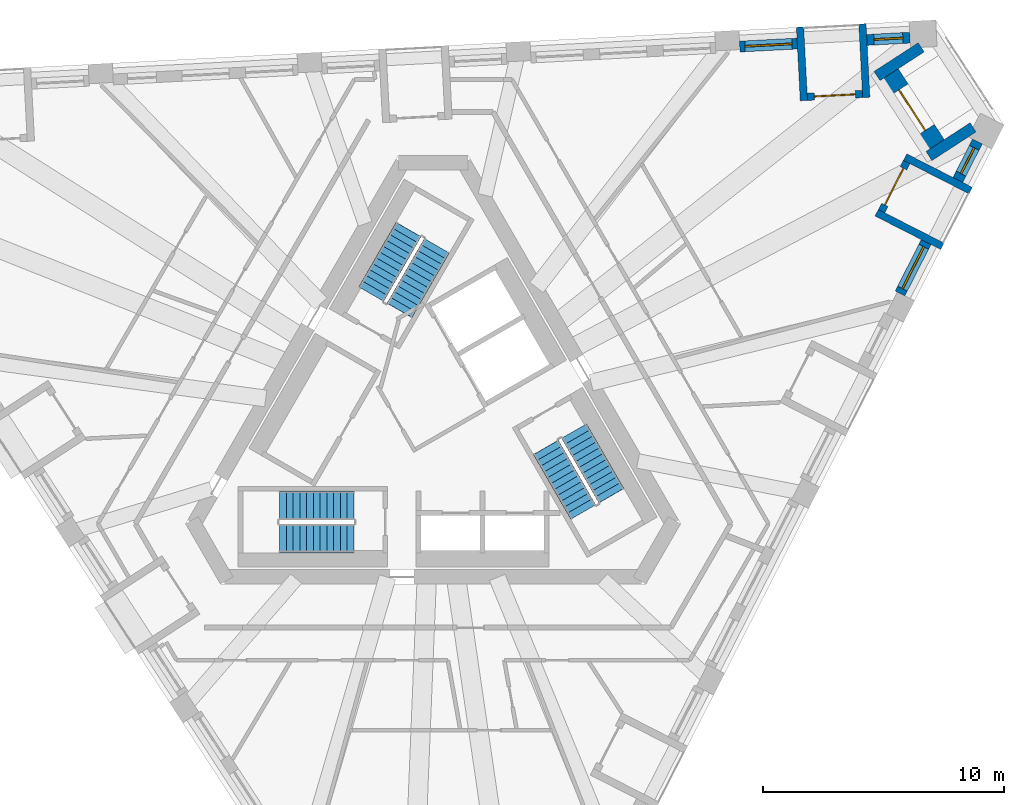
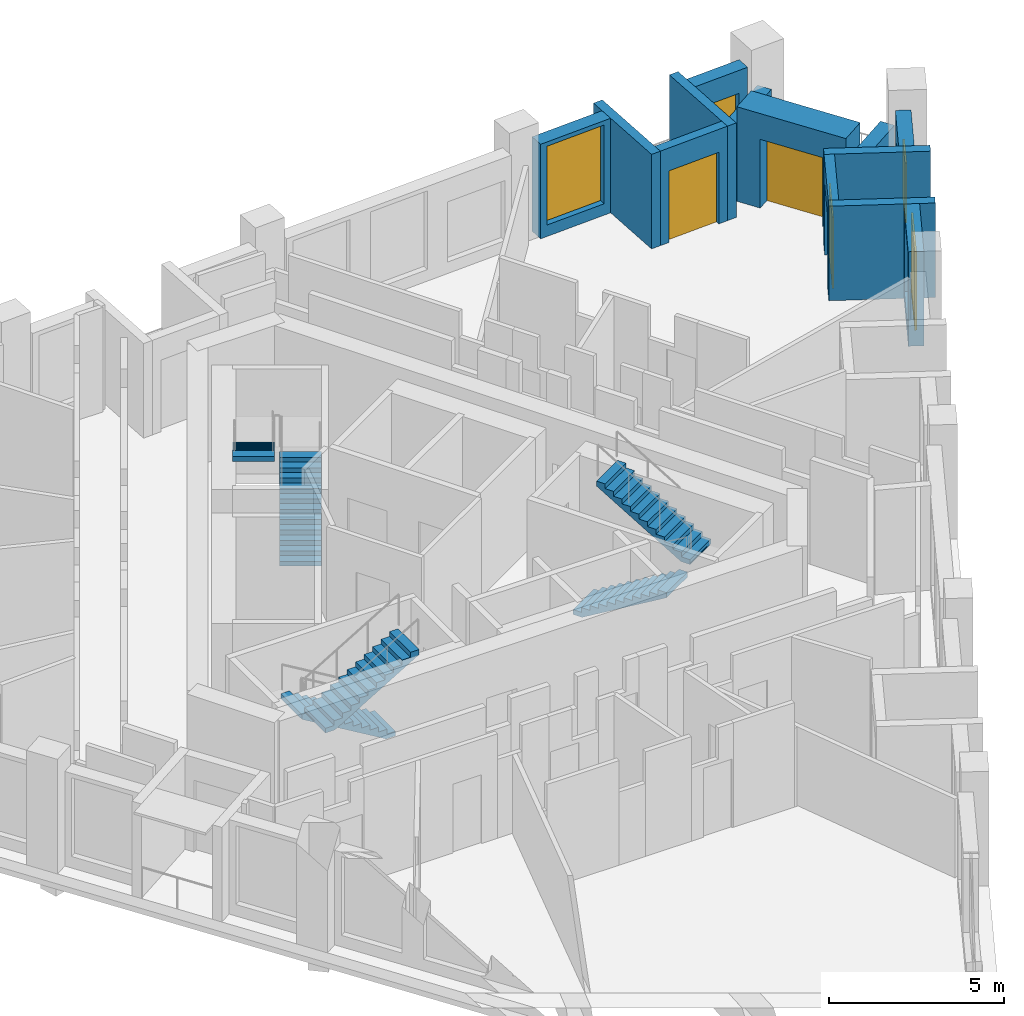
# One storey, part 8 of 12: 13 walls, 6 stair flights, 4 windows, 3 doors, 7 openings, 3 elements without a shape of their own.
"""IFC4 building model written with IfcOpenShell, lengths in metres."""

from ifc_helpers import new_model, si_unit, direction, frame, frame_2d, origin, place, context, subcontext, project, spatial, polyline, rectangle, outline, extrude, material, layer, layer_set, type_object, element, fill, aggregate, save


model = new_model("IFC4")

# Units and contexts
model_context = context("Model", 3, precision=1e-05, world=origin(), true_north=direction((0.0, 1.0)))
body_context = subcontext(model_context, "Body", "Model", "MODEL_VIEW")
ifc_project = project(units=[si_unit("LENGTHUNIT", "METRE"), si_unit("AREAUNIT", "SQUARE_METRE"), si_unit("VOLUMEUNIT", "CUBIC_METRE"), si_unit("PLANEANGLEUNIT", "RADIAN"), si_unit("MASSUNIT", "GRAM", prefix="KILO")], contexts=[model_context])

# Site, building, storey
site_placement = place(None, origin())
site = spatial("IfcSite", under=ifc_project, at=site_placement, CompositionType="ELEMENT")
building_placement = place(site_placement, origin())
building = spatial("IfcBuilding", under=site, at=building_placement, Name="Tramontana Tower", CompositionType="ELEMENT")
storey_placement = place(building_placement, frame((0.0, 0.0, 278.39990234375)))
storey = spatial("IfcBuildingStorey", under=building, at=storey_placement, Name="L65", CompositionType="ELEMENT", Elevation=278.39990234375)

# Wall, opening, window
ifc_material_1 = material(Name="Precast concrete 60 MPa", Category="concrete")
ifc_layer_1 = layer(ifc_material_1, 0.449951171875)
ifc_layer_set_1 = layer_set([ifc_layer_1], Name="Precast concrete 60 MPa, 450 mm")
wall_type_1 = type_object("IfcWallType", Name="EW1 Stone-faced precast wall 450", PredefinedType="SOLIDWALL", material=ifc_layer_set_1)
wall_1_placement = place(storey_placement, frame((19.333740234375, 5.28955078125, 0.0), z_axis=(0.0, 0.0, 1.0), x_axis=(0.453951830128, 0.891026226283, 0.0)))
wall_1 = element("IfcWall", 1, at=wall_1_placement, inside=storey, type_object=wall_type_1, Name="External wall L65 face 1 bay 5", PredefinedType="SOLIDWALL", context=body_context, shape_type="SweptSolid", body=[
    extrude(rectangle(XDim=2.38671875, YDim=0.449951171875, at=frame_2d((1.193359375, 0.0))), origin(), (0.0, 0.0, 1.0), 3.300048828125),
])
opening_1_placement = place(wall_1_placement, frame((0.21826171875, 0.0, 0.39990234375)))
opening_1 = element("IfcOpeningElement", 2, at=opening_1_placement, cuts=wall_1, Name="Opening M3", PredefinedType="OPENING", context=body_context, shape_type="SweptSolid", body=[
    extrude(rectangle(XDim=1.949951171875, YDim=2.75, at=frame_2d((0.97509765625, 1.375))), frame((0.0, 0.23486328125, 0.0), z_axis=(0.0, -1.0, 0.0), x_axis=(1.0, 0.0, 0.0)), (0.0, 0.0, 1.0), 0.469970703125),
])
ifc_material_2 = material(Name="Aluminum frame, double glazing unit", Category="aluminium")
window_type_1 = type_object("IfcWindowType", Name="M3 Window 1.95 x 2.75", PartitioningType="SINGLE_PANEL", PredefinedType="WINDOW", material=ifc_material_2)
window_1_placement = place(opening_1_placement, origin())
window_1 = element("IfcWindow", 3, at=window_1_placement, inside=storey, type_object=window_type_1, Name="Window M3 L65 face 1 module 13", OverallHeight=2.75, OverallWidth=1.949951171875, PartitioningType="SINGLE_PANEL", PredefinedType="WINDOW", context=body_context, shape_type="SweptSolid", body=[
    extrude(rectangle(XDim=1.949951171875, YDim=2.75, at=frame_2d((0.97509765625, 1.375))), frame((0.0, 0.030029296875, 0.0), z_axis=(0.0, -1.0, 0.0), x_axis=(1.0, 0.0, 0.0)), (0.0, 0.0, 1.0), 0.06005859375),
])
fill(opening_1, window_1)

wall_2_placement = place(storey_placement, frame((21.727783203125, 9.98828125, 0.0), z_axis=(0.0, 0.0, 1.0), x_axis=(0.454032211525, 0.890985269742, 0.0)))
wall_2 = element("IfcWall", 4, at=wall_2_placement, inside=storey, type_object=wall_type_1, Name="External wall L65 face 1 bay 5", PredefinedType="SOLIDWALL", context=body_context, shape_type="SweptSolid", body=[
    extrude(rectangle(XDim=1.786865234375, YDim=0.449951171875, at=frame_2d((0.8935546875, 0.0))), origin(), (0.0, 0.0, 1.0), 3.300048828125),
])
opening_2_placement = place(wall_2_placement, frame((0.29345703125, 0.0, 0.39990234375)))
opening_2 = element("IfcOpeningElement", 5, at=opening_2_placement, cuts=wall_2, Name="Opening N3L", PredefinedType="OPENING", context=body_context, shape_type="SweptSolid", body=[
    extrude(rectangle(XDim=1.199951171875, YDim=2.10009765625, at=frame_2d((0.60009765625, 1.050048828125))), frame((0.0, 0.23486328125, 0.0), z_axis=(0.0, -1.0, 0.0), x_axis=(1.0, 0.0, 0.0)), (0.0, 0.0, 1.0), 0.469970703125),
])
ifc_material_3 = material(Name="Aluminum frame, double glazing unit", Category="aluminium")
window_type_2 = type_object("IfcWindowType", Name="N3L Window 1.2 x 2.1", PartitioningType="SINGLE_PANEL", PredefinedType="WINDOW", material=ifc_material_3)
window_2_placement = place(opening_2_placement, origin())
window_2 = element("IfcWindow", 6, at=window_2_placement, inside=storey, type_object=window_type_2, Name="Window N3L L65 face 1 module 15", OverallHeight=2.10009765625, OverallWidth=1.199951171875, PartitioningType="SINGLE_PANEL", PredefinedType="WINDOW", context=body_context, shape_type="SweptSolid", body=[
    extrude(rectangle(XDim=1.199951171875, YDim=2.10009765625, at=frame_2d((0.60009765625, 1.050048828125))), frame((0.0, 0.030029296875, 0.0), z_axis=(0.0, -1.0, 0.0), x_axis=(1.0, 0.0, 0.0)), (0.0, 0.0, 1.0), 0.06005859375),
])
fill(opening_2, window_2)

wall_3_placement = place(storey_placement, frame((19.74658203125, 15.880126953125, 0.0), z_axis=(0.0, 0.0, 1.0), x_axis=(-0.998629506551, -0.052336494391, 0.0)))
wall_3 = element("IfcWall", 7, at=wall_3_placement, inside=storey, type_object=wall_type_1, Name="External wall L65 face 2 bay 1", PredefinedType="SOLIDWALL", context=body_context, shape_type="SweptSolid", body=[
    extrude(rectangle(XDim=1.78662109375, YDim=0.449951171875, at=frame_2d((0.893310546875, 0.0))), origin(), (0.0, 0.0, 1.0), 3.300048828125),
])
opening_3_placement = place(wall_3_placement, frame((0.29345703125, 0.0, 0.39990234375)))
opening_3 = element("IfcOpeningElement", 8, at=opening_3_placement, cuts=wall_3, Name="Opening N3L", PredefinedType="OPENING", context=body_context, shape_type="SweptSolid", body=[
    extrude(rectangle(XDim=1.199951171875, YDim=2.10009765625, at=frame_2d((0.60009765625, 1.050048828125))), frame((0.0, 0.23486328125, 0.0), z_axis=(0.0, -1.0, 0.0), x_axis=(1.0, 0.0, 0.0)), (0.0, 0.0, 1.0), 0.469970703125),
])
window_3_placement = place(opening_3_placement, origin())
window_3 = element("IfcWindow", 9, at=window_3_placement, inside=storey, type_object=window_type_2, Name="Window N3L L65 face 2 module 1", OverallHeight=2.10009765625, OverallWidth=1.199951171875, PartitioningType="SINGLE_PANEL", PredefinedType="WINDOW", context=body_context, shape_type="SweptSolid", body=[
    extrude(rectangle(XDim=1.199951171875, YDim=2.10009765625, at=frame_2d((0.60009765625, 1.050048828125))), frame((0.0, 0.030029296875, 0.0), z_axis=(0.0, -1.0, 0.0), x_axis=(1.0, 0.0, 0.0)), (0.0, 0.0, 1.0), 0.06005859375),
])
fill(opening_3, window_3)

wall_4_placement = place(storey_placement, frame((15.07958984375, 15.6357421875, 0.0), z_axis=(0.0, 0.0, 1.0), x_axis=(-0.998627701279, -0.052370929331, 0.0)))
wall_4 = element("IfcWall", 10, at=wall_4_placement, inside=storey, type_object=wall_type_1, Name="External wall L65 face 2 bay 1", PredefinedType="SOLIDWALL", context=body_context, shape_type="SweptSolid", body=[
    extrude(rectangle(XDim=2.38671875, YDim=0.449951171875, at=frame_2d((1.193359375, 0.0))), origin(), (0.0, 0.0, 1.0), 3.300048828125),
])
opening_4_placement = place(wall_4_placement, frame((0.21826171875, 0.0, 0.39990234375)))
opening_4 = element("IfcOpeningElement", 11, at=opening_4_placement, cuts=wall_4, Name="Opening M3", PredefinedType="OPENING", context=body_context, shape_type="SweptSolid", body=[
    extrude(rectangle(XDim=1.949951171875, YDim=2.75, at=frame_2d((0.97509765625, 1.375))), frame((0.0, 0.23486328125, 0.0), z_axis=(0.0, -1.0, 0.0), x_axis=(1.0, 0.0, 0.0)), (0.0, 0.0, 1.0), 0.469970703125),
])
window_4_placement = place(opening_4_placement, origin())
window_4 = element("IfcWindow", 12, at=window_4_placement, inside=storey, type_object=window_type_1, Name="Window M3 L65 face 2 module 3", OverallHeight=2.75, OverallWidth=1.949951171875, PartitioningType="SINGLE_PANEL", PredefinedType="WINDOW", context=body_context, shape_type="SweptSolid", body=[
    extrude(rectangle(XDim=1.949951171875, YDim=2.75, at=frame_2d((0.97509765625, 1.375))), frame((0.0, 0.030029296875, 0.0), z_axis=(0.0, -1.0, 0.0), x_axis=(1.0, 0.0, 0.0)), (0.0, 0.0, 1.0), 0.06005859375),
])
fill(opening_4, window_4)

# Walls
for number, where, z_axis, x_axis, name in (
    (13, (20.209228515625, 15.478759765625, 0.0), (0.0, 0.0, 1.0), (-0.838694375731, -0.544602372486, 0.0), "Corner loggia side wall L65 K72l"),
    (14, (22.3603515625, 12.166015625, 0.0), (0.0, 0.0, 1.0), (-0.838694375731, -0.544602372486, 0.0), "Corner loggia side wall L65 K72r"),
):
    element("IfcWall", number, at=place(storey_placement, frame(where, z_axis=z_axis, x_axis=x_axis)), inside=storey, type_object=wall_type_1, Name=name, PredefinedType="SOLIDWALL", context=body_context, shape_type="SweptSolid", body=[
        extrude(rectangle(XDim=2.17919921875, YDim=0.449951171875, at=frame_2d((1.089599609375, 0.0))), origin(), (0.0, 0.0, 1.0), 2.550048828125),
    ])

# Wall, opening, door
ifc_material_4 = material(Name="Precast concrete 60 MPa", Category="concrete")
ifc_layer_2 = layer(ifc_material_4, 0.89990234375)
ifc_layer_set_2 = layer_set([ifc_layer_2], Name="EW2 Stone-faced corner loggia wall 900")
wall_type_2 = type_object("IfcWallType", Name="EW2 Stone-faced corner loggia wall 900", PredefinedType="SOLIDWALL", material=ifc_layer_set_2)
wall_5_placement = place(storey_placement, frame((18.88134765625, 14.348388671875, 0.0), z_axis=(0.0, 0.0, 1.0), x_axis=(0.544647498784, -0.838665071449, 0.0)))
wall_5 = element("IfcWall", 15, at=wall_5_placement, inside=storey, type_object=wall_type_2, Name="Corner loggia wall L65 K72", PredefinedType="SOLIDWALL", context=body_context, shape_type="SweptSolid", body=[
    extrude(rectangle(XDim=3.5, YDim=0.89990234375, at=frame_2d((1.75, 0.0))), origin(), (0.0, 0.0, 1.0), 3.300048828125),
])
opening_5_placement = place(wall_5_placement, frame((0.75, 0.0, 0.0)))
opening_5 = element("IfcOpeningElement", 16, at=opening_5_placement, cuts=wall_5, Name="Opening BD-72C", PredefinedType="OPENING", context=body_context, shape_type="SweptSolid", body=[
    extrude(rectangle(XDim=2.0, YDim=2.39990234375, at=frame_2d((1.0, 1.199951171875))), frame((0.0, 0.4599609375, 0.0), z_axis=(0.0, -1.0, 0.0), x_axis=(1.0, 0.0, 0.0)), (0.0, 0.0, 1.0), 0.919921875),
])
ifc_material_5 = material(Name="Aluminum frame, double glazing unit", Category="aluminium")
door_type_1 = type_object("IfcDoorType", Name="BC1 Sliding door 2 x 2.4", OperationType="SLIDING_TO_LEFT", PredefinedType="DOOR", material=ifc_material_5)
door_1_placement = place(opening_5_placement, origin())
door_1 = element("IfcDoor", 17, at=door_1_placement, inside=storey, type_object=door_type_1, Name="Corner loggia door L65 K72", OperationType="SLIDING_TO_LEFT", OverallHeight=2.39990234375, OverallWidth=2.0, PredefinedType="DOOR", context=body_context, shape_type="SweptSolid", body=[
    extrude(rectangle(XDim=2.0, YDim=2.39990234375, at=frame_2d((1.0, 1.199951171875))), frame((0.0, 0.02490234375, 0.0), z_axis=(0.0, -1.0, 0.0), x_axis=(1.0, 0.0, 0.0)), (0.0, 0.0, 1.0), 0.050048828125),
])
fill(opening_5, door_1)

ifc_material_6 = material(Name="Precast concrete 60 MPa", Category="concrete")
ifc_layer_3 = layer(ifc_material_6, 0.300048828125)
ifc_layer_set_3 = layer_set([ifc_layer_3], Name="LW1 Stone-faced loggia wall 300")
wall_type_3 = type_object("IfcWallType", Name="LW1 Stone-faced loggia wall 300", PredefinedType="SOLIDWALL", material=ifc_layer_set_3)
wall_6_placement = place(storey_placement, frame((18.571044921875, 8.693603515625, 0.0), z_axis=(0.0, 0.0, 1.0), x_axis=(0.453948171533, 0.89102809022, 0.0)))
wall_6 = element("IfcWall", 18, at=wall_6_placement, inside=storey, type_object=wall_type_3, Name="Loggia wall L65 G7S1.13", PredefinedType="SOLIDWALL", context=body_context, shape_type="SweptSolid", body=[
    extrude(rectangle(XDim=2.286865234375, YDim=0.300048828125, at=frame_2d((1.1435546875, 0.0))), origin(), (0.0, 0.0, 1.0), 3.300048828125),
])
opening_6_placement = place(wall_6_placement, frame((0.29345703125, 0.0, 0.0)))
opening_6 = element("IfcOpeningElement", 19, at=opening_6_placement, cuts=wall_6, Name="Opening BD-7S1-13", PredefinedType="OPENING", context=body_context, shape_type="SweptSolid", body=[
    extrude(rectangle(XDim=1.699951171875, YDim=2.5, at=frame_2d((0.85009765625, 1.25))), frame((0.0, 0.159912109375, 0.0), z_axis=(0.0, -1.0, 0.0), x_axis=(1.0, 0.0, 0.0)), (0.0, 0.0, 1.0), 0.320068359375),
])
ifc_material_7 = material(Name="Aluminum frame, double glazing unit", Category="aluminium")
door_type_2 = type_object("IfcDoorType", Name="BD3 Sliding door 1.7 x 2.5", OperationType="SLIDING_TO_LEFT", PredefinedType="DOOR", material=ifc_material_7)
door_2_placement = place(opening_6_placement, origin())
door_2 = element("IfcDoor", 20, at=door_2_placement, inside=storey, type_object=door_type_2, Name="Loggia door L65 G7S1.13", OperationType="SLIDING_TO_LEFT", OverallHeight=2.5, OverallWidth=1.699951171875, PredefinedType="DOOR", context=body_context, shape_type="SweptSolid", body=[
    extrude(rectangle(XDim=1.699951171875, YDim=2.5, at=frame_2d((0.85009765625, 1.25))), frame((0.0, 0.02490234375, 0.0), z_axis=(0.0, -1.0, 0.0), x_axis=(1.0, 0.0, 0.0)), (0.0, 0.0, 1.0), 0.050048828125),
])
fill(opening_6, door_2)

# Walls
for number, where, z_axis, x_axis, name in (
    (21, (21.086669921875, 7.243408203125, 0.0), (0.0, 0.0, 1.0), (-0.890991233495, 0.454020508165, 0.0), "Loggia return L65 G7S1.13a"),
    (22, (22.26123046875, 9.54833984375, 0.0), (0.0, 0.0, 1.0), (-0.891040107702, 0.453924582355, 0.0), "Loggia return L65 G7S1.13b"),
):
    element("IfcWall", number, at=place(storey_placement, frame(where, z_axis=z_axis, x_axis=x_axis)), inside=storey, type_object=wall_type_3, Name=name, PredefinedType="SOLIDWALL", context=body_context, shape_type="SweptSolid", body=[
        extrude(rectangle(XDim=3.050048828125, YDim=0.300048828125, at=frame_2d((1.52490234375, 0.0))), origin(), (0.0, 0.0, 1.0), 3.300048828125),
    ])

# Wall, opening, door
wall_7_placement = place(storey_placement, frame((17.779052734375, 13.549072265625, 0.0), z_axis=(0.0, 0.0, 1.0), x_axis=(-0.998630483018, -0.052317859155, 0.0)))
wall_7 = element("IfcWall", 23, at=wall_7_placement, inside=storey, type_object=wall_type_3, Name="Loggia wall L65 G7S2.1", PredefinedType="SOLIDWALL", context=body_context, shape_type="SweptSolid", body=[
    extrude(rectangle(XDim=2.28662109375, YDim=0.300048828125, at=frame_2d((1.143310546875, 0.0))), origin(), (0.0, 0.0, 1.0), 3.300048828125),
])
opening_7_placement = place(wall_7_placement, frame((0.29345703125, 0.0, 0.0)))
opening_7 = element("IfcOpeningElement", 24, at=opening_7_placement, cuts=wall_7, Name="Opening BD-7S2-01", PredefinedType="OPENING", context=body_context, shape_type="SweptSolid", body=[
    extrude(rectangle(XDim=1.699951171875, YDim=2.5, at=frame_2d((0.85009765625, 1.25))), frame((0.0, 0.159912109375, 0.0), z_axis=(0.0, -1.0, 0.0), x_axis=(1.0, 0.0, 0.0)), (0.0, 0.0, 1.0), 0.320068359375),
])
door_3_placement = place(opening_7_placement, origin())
door_3 = element("IfcDoor", 25, at=door_3_placement, inside=storey, type_object=door_type_2, Name="Loggia door L65 G7S2.1", OperationType="SLIDING_TO_LEFT", OverallHeight=2.5, OverallWidth=1.699951171875, PredefinedType="DOOR", context=body_context, shape_type="SweptSolid", body=[
    extrude(rectangle(XDim=1.699951171875, YDim=2.5, at=frame_2d((0.85009765625, 1.25))), frame((0.0, 0.02490234375, 0.0), z_axis=(0.0, -1.0, 0.0), x_axis=(1.0, 0.0, 0.0)), (0.0, 0.0, 1.0), 0.050048828125),
])
fill(opening_7, door_3)

# Walls
wall_8_placement = place(storey_placement, frame((17.777099609375, 16.452880859375, 0.0), z_axis=(0.0, 0.0, 1.0), x_axis=(0.052352956549, -0.998628643661, 0.0)))
element("IfcWall", 26, at=wall_8_placement, inside=storey, type_object=wall_type_3, Name="Loggia return L65 G7S2.1a", PredefinedType="SOLIDWALL", context=body_context, shape_type="SweptSolid", body=[
    extrude(rectangle(XDim=3.0498046875, YDim=0.300048828125, at=frame_2d((1.52490234375, 0.0))), origin(), (0.0, 0.0, 1.0), 3.300048828125),
])
wall_9_placement = place(storey_placement, frame((15.19384765625, 16.317626953125, 0.0), z_axis=(0.0, 0.0, 1.0), x_axis=(0.052348771756, -0.99862886304, 0.0)))
element("IfcWall", 27, at=wall_9_placement, inside=storey, type_object=wall_type_3, Name="Loggia return L65 G7S2.1b", PredefinedType="SOLIDWALL", context=body_context, shape_type="SweptSolid", body=[
    extrude(rectangle(XDim=3.050048828125, YDim=0.300048828125, at=frame_2d((1.52490234375, 0.0))), origin(), (0.0, 0.0, 1.0), 3.300048828125),
])

# Stair, stair flights
ifc_material_8 = material(Name="Concrete 40 MPa", Category="concrete")
stair_type = type_object("IfcStairType", Name="EXIT STAIR 24 RISERS", PredefinedType="HALF_TURN_STAIR", material=ifc_material_8)
stair_1_placement = place(storey_placement, origin())
stair_1 = element("IfcStair", 28, at=stair_1_placement, inside=storey, type_object=stair_type, Name="L65 Exit stair ST1", PredefinedType="HALF_TURN_STAIR")
ifc_material_9 = material(Name="Concrete 40 MPa", Category="concrete")
ifc_layer_4 = layer(ifc_material_9, 0.14990234375)
ifc_layer_set_4 = layer_set([ifc_layer_4], Name="EXIT STAIR FLIGHT")
stair_flight_type = type_object("IfcStairFlightType", Name="EXIT STAIR FLIGHT", PredefinedType="STRAIGHT", material=ifc_layer_set_4)
stair_flight_1_placement = place(storey_placement, frame((-1.39111328125, 4.590576171875, 0.0), z_axis=(0.0, 0.0, 1.0), x_axis=(0.5, 0.866025403784, 0.0)))
stair_flight_1 = element("IfcStairFlight", 29, at=stair_flight_1_placement, type_object=stair_flight_type, Name="ST1 flight 1", NumberOfRisers=12, NumberOfTreads=11, PredefinedType="STRAIGHT", RiserHeight=0.166666667, TreadLength=0.28, context=body_context, shape_type="SweptSolid", body=[
    extrude(outline(polyline([(-0.006103515625, 0.0), (-0.006103515625, 0.0400390625), (0.0, 0.0400390625), (0.0, 0.166748046875), (0.280029296875, 0.166748046875), (0.280029296875, 0.333251953125), (0.56005859375, 0.333251953125), (0.56005859375, 0.5), (0.840087890625, 0.5), (0.840087890625, 0.666748046875), (1.1201171875, 0.666748046875), (1.1201171875, 0.833251953125), (1.39990234375, 0.833251953125), (1.39990234375, 1.0), (1.679931640625, 1.0), (1.679931640625, 1.166748046875), (1.9599609375, 1.166748046875), (1.9599609375, 1.333251953125), (2.239990234375, 1.333251953125), (2.239990234375, 1.5), (2.52001953125, 1.5), (2.52001953125, 1.666748046875), (2.800048828125, 1.666748046875), (2.800048828125, 1.833251953125), (3.080078125, 1.833251953125), (3.0859375, 1.833251953125), (3.0859375, 1.658935546875), (0.299072265625, 0.0), (-0.006103515625, 0.0)])), frame((0.0, 0.60009765625, 0.0), z_axis=(0.0, -1.0, 0.0), x_axis=(1.0, 0.0, 0.0)), (0.0, 0.0, 1.0), 1.199951171875),
])
stair_flight_2_placement = place(storey_placement, frame((-1.020263671875, 7.932861328125, 2.0), z_axis=(0.0, 0.0, 1.0), x_axis=(-0.5, -0.866025403784, 0.0)))
stair_flight_2 = element("IfcStairFlight", 30, at=stair_flight_2_placement, type_object=stair_flight_type, Name="ST1 flight 2", NumberOfRisers=12, NumberOfTreads=11, PredefinedType="STRAIGHT", RiserHeight=0.166666667, TreadLength=0.28, context=body_context, shape_type="SweptSolid", body=[
    extrude(outline(polyline([(-0.006103515625, 0.0), (-0.006103515625, 0.0400390625), (0.0, 0.0400390625), (0.0, 0.166748046875), (0.280029296875, 0.166748046875), (0.280029296875, 0.333251953125), (0.56005859375, 0.333251953125), (0.56005859375, 0.5), (0.840087890625, 0.5), (0.840087890625, 0.666748046875), (1.1201171875, 0.666748046875), (1.1201171875, 0.833251953125), (1.39990234375, 0.833251953125), (1.39990234375, 1.0), (1.679931640625, 1.0), (1.679931640625, 1.166748046875), (1.9599609375, 1.166748046875), (1.9599609375, 1.333251953125), (2.239990234375, 1.333251953125), (2.239990234375, 1.5), (2.52001953125, 1.5), (2.52001953125, 1.666748046875), (2.800048828125, 1.666748046875), (2.800048828125, 1.833251953125), (3.080078125, 1.833251953125), (3.0859375, 1.833251953125), (3.0859375, 1.658935546875), (0.299072265625, 0.0), (-0.006103515625, 0.0)])), frame((0.0, 0.60009765625, 0.0), z_axis=(0.0, -1.0, 0.0), x_axis=(1.0, 0.0, 0.0)), (0.0, 0.0, 1.0), 1.199951171875),
])
aggregate(stair_1, [stair_flight_1, stair_flight_2])

stair_2_placement = place(storey_placement, origin())
stair_2 = element("IfcStair", 31, at=stair_2_placement, inside=storey, type_object=stair_type, Name="L65 Exit stair ST2", PredefinedType="HALF_TURN_STAIR")
stair_flight_3_placement = place(storey_placement, frame((-3.280029296875, -3.5, 0.0), z_axis=(0.0, 0.0, 1.0), x_axis=(-1.0, 0.0, 0.0)))
stair_flight_3 = element("IfcStairFlight", 32, at=stair_flight_3_placement, type_object=stair_flight_type, Name="ST2 flight 1", NumberOfRisers=12, NumberOfTreads=11, PredefinedType="STRAIGHT", RiserHeight=0.166666667, TreadLength=0.28, context=body_context, shape_type="SweptSolid", body=[
    extrude(outline(polyline([(-0.006103515625, 0.0), (-0.006103515625, 0.0400390625), (0.0, 0.0400390625), (0.0, 0.166748046875), (0.280029296875, 0.166748046875), (0.280029296875, 0.333251953125), (0.56005859375, 0.333251953125), (0.56005859375, 0.5), (0.840087890625, 0.5), (0.840087890625, 0.666748046875), (1.1201171875, 0.666748046875), (1.1201171875, 0.833251953125), (1.39990234375, 0.833251953125), (1.39990234375, 1.0), (1.679931640625, 1.0), (1.679931640625, 1.166748046875), (1.9599609375, 1.166748046875), (1.9599609375, 1.333251953125), (2.239990234375, 1.333251953125), (2.239990234375, 1.5), (2.52001953125, 1.5), (2.52001953125, 1.666748046875), (2.800048828125, 1.666748046875), (2.800048828125, 1.833251953125), (3.080078125, 1.833251953125), (3.0859375, 1.833251953125), (3.0859375, 1.658935546875), (0.299072265625, 0.0), (-0.006103515625, 0.0)])), frame((0.0, 0.60009765625, 0.0), z_axis=(0.0, -1.0, 0.0), x_axis=(1.0, 0.0, 0.0)), (0.0, 0.0, 1.0), 1.199951171875),
])
stair_flight_4_placement = place(storey_placement, frame((-6.360107421875, -4.85009765625, 2.0), z_axis=(0.0, 0.0, 1.0), x_axis=(1.0, 0.0, 0.0)))
stair_flight_4 = element("IfcStairFlight", 33, at=stair_flight_4_placement, type_object=stair_flight_type, Name="ST2 flight 2", NumberOfRisers=12, NumberOfTreads=11, PredefinedType="STRAIGHT", RiserHeight=0.166666667, TreadLength=0.28, context=body_context, shape_type="SweptSolid", body=[
    extrude(outline(polyline([(-0.006103515625, 0.0), (-0.006103515625, 0.0400390625), (0.0, 0.0400390625), (0.0, 0.166748046875), (0.280029296875, 0.166748046875), (0.280029296875, 0.333251953125), (0.56005859375, 0.333251953125), (0.56005859375, 0.5), (0.840087890625, 0.5), (0.840087890625, 0.666748046875), (1.1201171875, 0.666748046875), (1.1201171875, 0.833251953125), (1.39990234375, 0.833251953125), (1.39990234375, 1.0), (1.679931640625, 1.0), (1.679931640625, 1.166748046875), (1.9599609375, 1.166748046875), (1.9599609375, 1.333251953125), (2.239990234375, 1.333251953125), (2.239990234375, 1.5), (2.52001953125, 1.5), (2.52001953125, 1.666748046875), (2.800048828125, 1.666748046875), (2.800048828125, 1.833251953125), (3.080078125, 1.833251953125), (3.0859375, 1.833251953125), (3.0859375, 1.658935546875), (0.299072265625, 0.0), (-0.006103515625, 0.0)])), frame((0.0, 0.60009765625, 0.0), z_axis=(0.0, -1.0, 0.0), x_axis=(1.0, 0.0, 0.0)), (0.0, 0.0, 1.0), 1.199951171875),
])
aggregate(stair_2, [stair_flight_3, stair_flight_4])

stair_3_placement = place(storey_placement, origin())
stair_3 = element("IfcStair", 34, at=stair_3_placement, inside=storey, type_object=stair_type, Name="L65 Exit stair ST3", PredefinedType="HALF_TURN_STAIR")
stair_flight_5_placement = place(storey_placement, frame((4.671142578125, -1.090576171875, 0.0), z_axis=(0.0, 0.0, 1.0), x_axis=(0.5, -0.866025403784, 0.0)))
stair_flight_5 = element("IfcStairFlight", 35, at=stair_flight_5_placement, type_object=stair_flight_type, Name="ST3 flight 1", NumberOfRisers=12, NumberOfTreads=11, PredefinedType="STRAIGHT", RiserHeight=0.166666667, TreadLength=0.28, context=body_context, shape_type="SweptSolid", body=[
    extrude(outline(polyline([(-0.006103515625, 0.0), (-0.006103515625, 0.0400390625), (0.0, 0.0400390625), (0.0, 0.166748046875), (0.280029296875, 0.166748046875), (0.280029296875, 0.333251953125), (0.56005859375, 0.333251953125), (0.56005859375, 0.5), (0.840087890625, 0.5), (0.840087890625, 0.666748046875), (1.1201171875, 0.666748046875), (1.1201171875, 0.833251953125), (1.39990234375, 0.833251953125), (1.39990234375, 1.0), (1.679931640625, 1.0), (1.679931640625, 1.166748046875), (1.9599609375, 1.166748046875), (1.9599609375, 1.333251953125), (2.239990234375, 1.333251953125), (2.239990234375, 1.5), (2.52001953125, 1.5), (2.52001953125, 1.666748046875), (2.800048828125, 1.666748046875), (2.800048828125, 1.833251953125), (3.080078125, 1.833251953125), (3.0859375, 1.833251953125), (3.0859375, 1.658935546875), (0.299072265625, 0.0), (-0.006103515625, 0.0)])), frame((0.0, 0.60009765625, 0.0), z_axis=(0.0, -1.0, 0.0), x_axis=(1.0, 0.0, 0.0)), (0.0, 0.0, 1.0), 1.199951171875),
])
stair_flight_6_placement = place(storey_placement, frame((7.380126953125, -3.0830078125, 2.0), z_axis=(0.0, 0.0, 1.0), x_axis=(-0.5, 0.866025403784, 0.0)))
stair_flight_6 = element("IfcStairFlight", 36, at=stair_flight_6_placement, type_object=stair_flight_type, Name="ST3 flight 2", NumberOfRisers=12, NumberOfTreads=11, PredefinedType="STRAIGHT", RiserHeight=0.166666667, TreadLength=0.28, context=body_context, shape_type="SweptSolid", body=[
    extrude(outline(polyline([(-0.006103515625, 0.0), (-0.006103515625, 0.0400390625), (0.0, 0.0400390625), (0.0, 0.166748046875), (0.280029296875, 0.166748046875), (0.280029296875, 0.333251953125), (0.56005859375, 0.333251953125), (0.56005859375, 0.5), (0.840087890625, 0.5), (0.840087890625, 0.666748046875), (1.1201171875, 0.666748046875), (1.1201171875, 0.833251953125), (1.39990234375, 0.833251953125), (1.39990234375, 1.0), (1.679931640625, 1.0), (1.679931640625, 1.166748046875), (1.9599609375, 1.166748046875), (1.9599609375, 1.333251953125), (2.239990234375, 1.333251953125), (2.239990234375, 1.5), (2.52001953125, 1.5), (2.52001953125, 1.666748046875), (2.800048828125, 1.666748046875), (2.800048828125, 1.833251953125), (3.080078125, 1.833251953125), (3.0859375, 1.833251953125), (3.0859375, 1.658935546875), (0.299072265625, 0.0), (-0.006103515625, 0.0)])), frame((0.0, 0.60009765625, 0.0), z_axis=(0.0, -1.0, 0.0), x_axis=(1.0, 0.0, 0.0)), (0.0, 0.0, 1.0), 1.199951171875),
])
aggregate(stair_3, [stair_flight_5, stair_flight_6])

save(model, "model.ifc")
